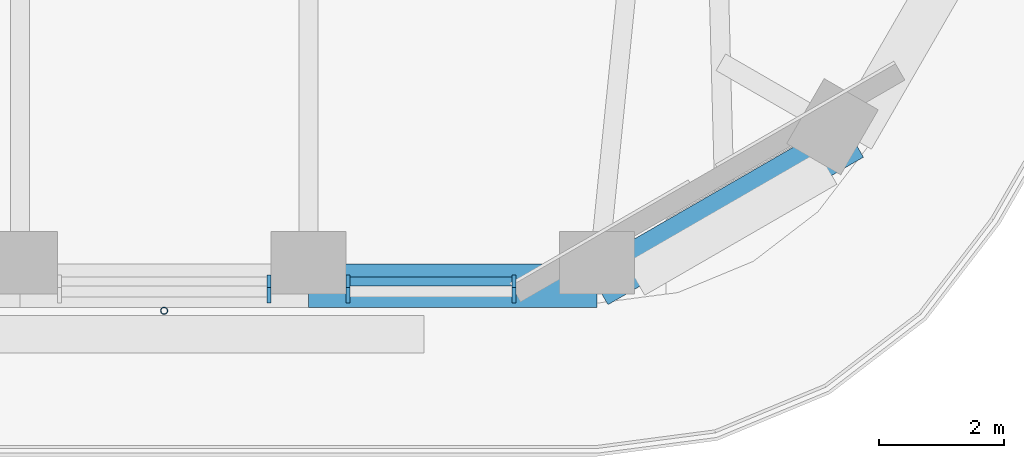
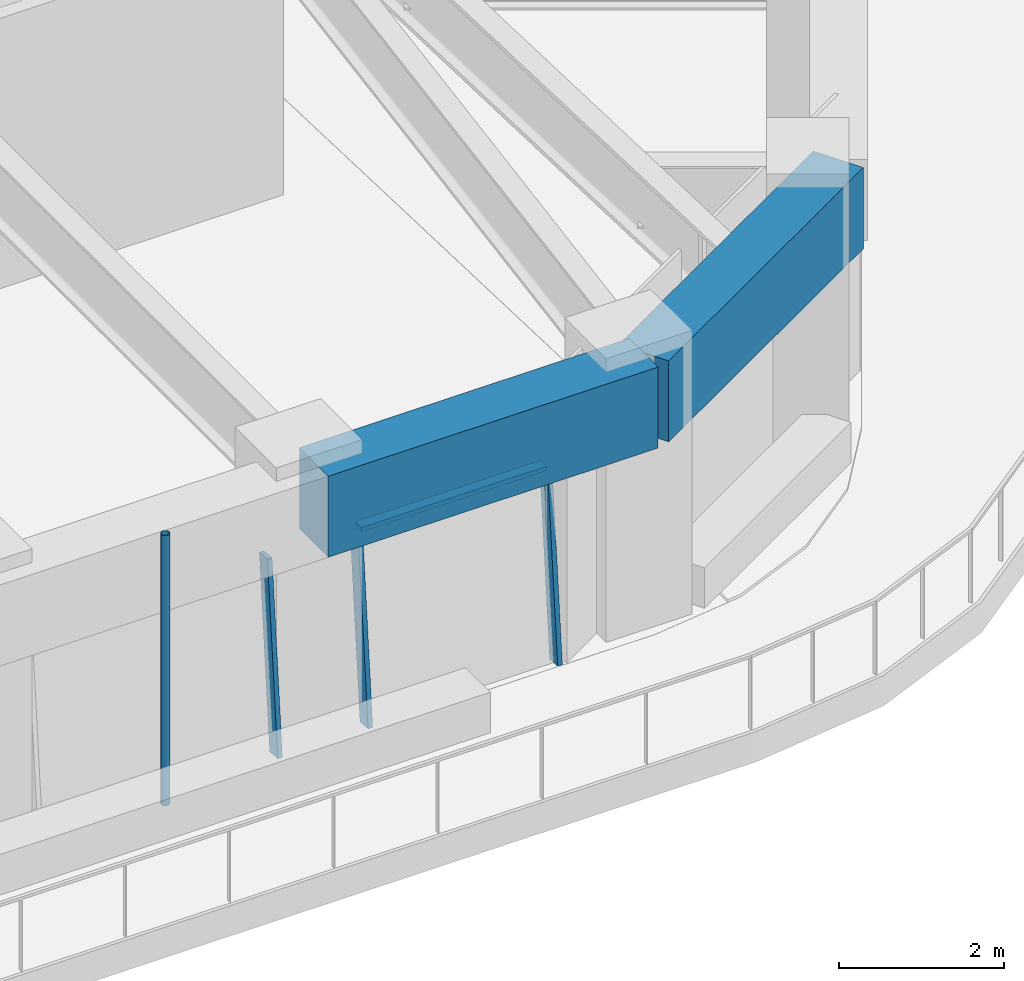
# One storey, part 4 of 20: 5 members, 2 beams, 2 elements without a shape of their own.
"""IFC4 building model written with IfcOpenShell, lengths in metres."""

from ifc_helpers import new_model, si_unit, direction, frame, origin, origin_2d, place, context, subcontext, project, spatial, rectangle, hollow_circle, extrude, material, material_profile, profile_set, type_object, element, aggregate, save


model = new_model("IFC4")

# Units and contexts
model_context = context("Model", 3, precision=1e-05, world=origin(), true_north=direction((0.0, 1.0)))
body_context = subcontext(model_context, "Body", "Model", "MODEL_VIEW")
ifc_project = project(units=[si_unit("LENGTHUNIT", "METRE"), si_unit("AREAUNIT", "SQUARE_METRE"), si_unit("VOLUMEUNIT", "CUBIC_METRE"), si_unit("PLANEANGLEUNIT", "RADIAN"), si_unit("MASSUNIT", "GRAM", prefix="KILO")], contexts=[model_context])

# Site, building, storey
site_placement = place(None, origin())
site = spatial("IfcSite", under=ifc_project, at=site_placement, CompositionType="ELEMENT")
building_placement = place(site_placement, origin())
building = spatial("IfcBuilding", under=site, at=building_placement, Name="Tarfa Lantern Tower", CompositionType="ELEMENT")
storey_placement = place(building_placement, frame((0.0, 0.0, 257.5)))
storey = spatial("IfcBuildingStorey", under=building, at=storey_placement, Name="L58", CompositionType="ELEMENT", Elevation=257.5)

# Curtain wall, member
ifc_material_1 = material(Name="Aluminium framed curtain wall", Category="aluminium")
curtain_wall_type = type_object("IfcCurtainWallType", Name="CW3 CANTED GLAZING HIGH ZONE 2800", PredefinedType="USERDEFINED", material=ifc_material_1)
curtain_wall_1_placement = place(storey_placement, origin())
curtain_wall_1 = element("IfcCurtainWall", 1, at=curtain_wall_1_placement, inside=storey, type_object=curtain_wall_type, Name="CW3 S L58", ObjectType="CURTAIN WALL", PredefinedType="USERDEFINED")
ifc_material_2 = material(Name="Aluminium mullion", Category="aluminium")
ifc_material_profile_1 = material_profile(ifc_material_2, rectangle(XDim=0.06494140625, YDim=0.199951171875, at=origin_2d()), Name="AL MULLION 65x200")
ifc_profile_set_1 = profile_set([ifc_material_profile_1], Name="Aluminium mullion")
member_type_1 = type_object("IfcMemberType", Name="CWM1 MULLION 65x200", PredefinedType="MULLION", material=ifc_profile_set_1)
member_1_placement = place(storey_placement, frame((8.605224609375, -28.89990234375, 0.0), z_axis=(0.0, 0.088930399417, 0.996037842685), x_axis=(-1.0, 0.0, 0.0)))
member_1 = element("IfcMember", 2, at=member_1_placement, type_object=member_type_1, Name="CW3 mullion 2", PredefinedType="MULLION", context=body_context, shape_type="SweptSolid", body=[
    extrude(rectangle(XDim=0.06494140625, YDim=0.199951171875, at=origin_2d()), origin(), (0.0, 0.0, 1.0), 2.811279296875),
])
aggregate(curtain_wall_1, [member_1])

# Curtain wall, members
curtain_wall_2_placement = place(storey_placement, origin())
curtain_wall_2 = element("IfcCurtainWall", 3, at=curtain_wall_2_placement, inside=storey, type_object=curtain_wall_type, Name="CW3 S L58", ObjectType="CURTAIN WALL", PredefinedType="USERDEFINED")
member_2_placement = place(storey_placement, frame((9.8701171875, -28.89990234375, 0.0), z_axis=(0.0, 0.088930399417, 0.996037842685), x_axis=(-1.0, 0.0, 0.0)))
member_2 = element("IfcMember", 4, at=member_2_placement, type_object=member_type_1, Name="CW3 mullion 1", PredefinedType="MULLION", context=body_context, shape_type="SweptSolid", body=[
    extrude(rectangle(XDim=0.06494140625, YDim=0.199951171875, at=origin_2d()), origin(), (0.0, 0.0, 1.0), 2.811279296875),
])
member_3_placement = place(storey_placement, frame((12.52392578125, -28.89990234375, 0.0), z_axis=(0.0, 0.088930399417, 0.996037842685), x_axis=(-1.0, 0.0, 0.0)))
member_3 = element("IfcMember", 5, at=member_3_placement, type_object=member_type_1, Name="CW3 mullion 2", PredefinedType="MULLION", context=body_context, shape_type="SweptSolid", body=[
    extrude(rectangle(XDim=0.06494140625, YDim=0.199951171875, at=origin_2d()), origin(), (0.0, 0.0, 1.0), 2.811279296875),
])
ifc_material_3 = material(Name="Aluminium transom", Category="aluminium")
ifc_material_profile_2 = material_profile(ifc_material_3, rectangle(XDim=0.14990234375, YDim=0.06494140625, at=origin_2d()), Name="AL TRANSOM 150x65")
ifc_profile_set_2 = profile_set([ifc_material_profile_2], Name="Aluminium transom")
member_type_2 = type_object("IfcMemberType", Name="CWT1 TRANSOM 150x65", PredefinedType="USERDEFINED", material=ifc_profile_set_2)
member_4_placement = place(storey_placement, frame((9.902587890625, -28.65283203125, 2.767578125), z_axis=(1.0, 0.0, 0.0), x_axis=(0.0, 1.0, 0.0)))
member_4 = element("IfcMember", 6, at=member_4_placement, type_object=member_type_2, Name="CW3 transom 1.2", ObjectType="TRANSOM", PredefinedType="USERDEFINED", context=body_context, shape_type="SweptSolid", body=[
    extrude(rectangle(XDim=0.14990234375, YDim=0.06494140625, at=origin_2d()), origin(), (0.0, 0.0, 1.0), 2.5888671875),
])
aggregate(curtain_wall_2, [member_2, member_3, member_4])

# Beams
ifc_material_4 = material(Name="Concrete C80/95", Category="concrete")
ifc_material_profile_3 = material_profile(ifc_material_4, rectangle(XDim=0.699951171875, YDim=1.199951171875, at=origin_2d()), Name="RC 700x1200")
ifc_profile_set_3 = profile_set([ifc_material_profile_3], Name="Concrete C80/95")
beam_type = type_object("IfcBeamType", Name="EB3 RC 700x1200", PredefinedType="SPANDREL", material=ifc_profile_set_3)
beam_1_placement = place(storey_placement, frame((9.237548828125, -28.719970703125, 3.39990234375), z_axis=(1.0, 0.0, 0.0), x_axis=(0.0, 1.0, 0.0)))
element("IfcBeam", 7, at=beam_1_placement, inside=storey, type_object=beam_type, Name="Edge beam S5", PredefinedType="SPANDREL", context=body_context, shape_type="SweptSolid", body=[
    extrude(rectangle(XDim=0.699951171875, YDim=1.199951171875, at=origin_2d()), origin(), (0.0, 0.0, 1.0), 4.618896484375),
])
beam_2_placement = place(storey_placement, frame((13.8564453125, -28.719970703125, 3.39990234375), z_axis=(0.866038294681, 0.499977671647, 0.0), x_axis=(-0.499977671647, 0.866038294681, 0.0)))
element("IfcBeam", 8, at=beam_2_placement, inside=storey, type_object=beam_type, Name="Edge beam S6", PredefinedType="SPANDREL", context=body_context, shape_type="SweptSolid", body=[
    extrude(rectangle(XDim=0.699951171875, YDim=1.199951171875, at=origin_2d()), origin(), (0.0, 0.0, 1.0), 4.719970703125),
])

# Member
ifc_material_5 = material(Name="Steel S355", Category="steel")
ifc_material_profile_4 = material_profile(ifc_material_5, hollow_circle(Radius=0.05712890625, WallThickness=0.00634765625, at=origin_2d()), Name="CHS114.3x6.3")
ifc_profile_set_4 = profile_set([ifc_material_profile_4], Name="Steel S355")
member_type_3 = type_object("IfcMemberType", Name="TR1 GREEN WALL TRELLIS CHS114.3x6.3", PredefinedType="USERDEFINED", material=ifc_profile_set_4)
member_5_placement = place(storey_placement, frame((6.92822265625, -29.1201171875, 0.0), z_axis=(0.0, 0.0, 1.0), x_axis=(1.0, 0.0, 0.0)))
element("IfcMember", 9, at=member_5_placement, inside=storey, type_object=member_type_3, Name="Trellis post S 2", ObjectType="TRELLIS", PredefinedType="USERDEFINED", context=body_context, shape_type="SweptSolid", body=[
    extrude(hollow_circle(Radius=0.05712890625, WallThickness=0.00634765625, at=origin_2d()), origin(), (0.0, 0.0, 1.0), 4.0),
])

save(model, "model.ifc")
